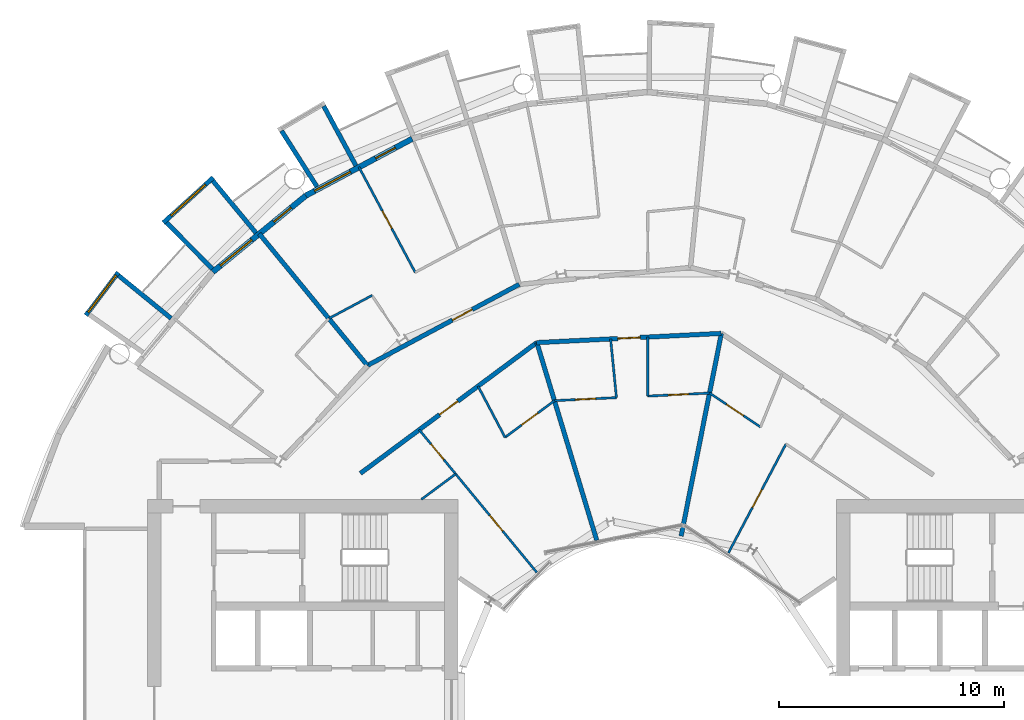
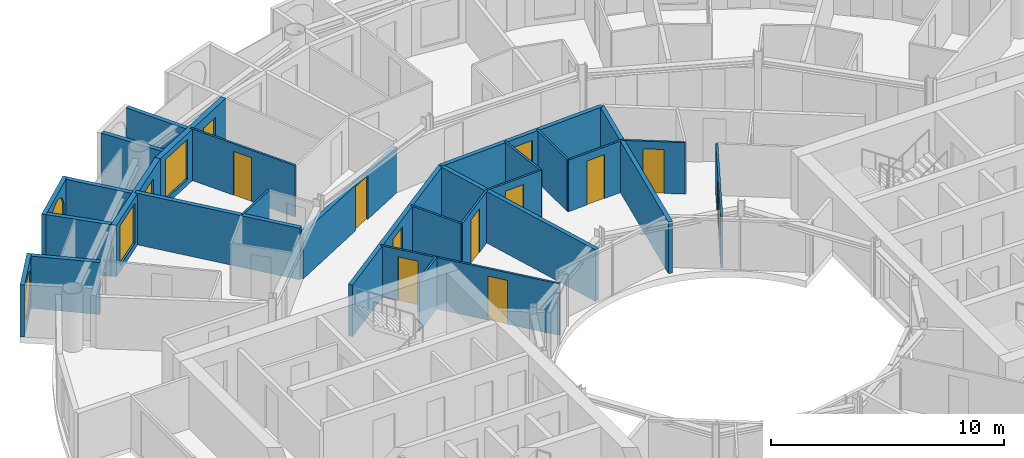
# One storey, part 20 of 26: 27 walls, 13 doors, 4 windows, 17 openings.
"""IFC4 building model written with IfcOpenShell, lengths in metres."""

from ifc_helpers import new_model, si_unit, direction, frame, frame_2d, origin, place, context, subcontext, project, spatial, rectangle, circle, extrude, material, layer, layer_set, type_object, element, fill, save


model = new_model("IFC4")

# Units and contexts
model_context = context("Model", 3, precision=1e-05, world=origin(), true_north=direction((0.0, 1.0)))
body_context = subcontext(model_context, "Body", "Model", "MODEL_VIEW")
ifc_project = project(units=[si_unit("LENGTHUNIT", "METRE"), si_unit("AREAUNIT", "SQUARE_METRE"), si_unit("VOLUMEUNIT", "CUBIC_METRE"), si_unit("PLANEANGLEUNIT", "RADIAN"), si_unit("MASSUNIT", "GRAM", prefix="KILO")], contexts=[model_context])

# Site, building, storey
site_placement = place(None, origin())
site = spatial("IfcSite", under=ifc_project, at=site_placement, CompositionType="ELEMENT")
building_placement = place(site_placement, origin())
building = spatial("IfcBuilding", under=site, at=building_placement, Name="Maasbend Ring Residences", CompositionType="ELEMENT")
storey_placement = place(building_placement, frame((0.0, 0.0, 123.85009765625)))
storey = spatial("IfcBuildingStorey", under=building, at=storey_placement, Name="L35", CompositionType="ELEMENT", Elevation=123.85009765625)

# Wall, opening, door
ifc_material_1 = material(Name="Concrete C30/37", Category="concrete")
ifc_layer_1 = layer(ifc_material_1, 0.199951171875)
ifc_layer_set_1 = layer_set([ifc_layer_1], Name="Concrete C30/37")
wall_type_1 = type_object("IfcWallType", Name="CORRIDOR WALL 200 CONCRETE", PredefinedType="PARTITIONING", material=ifc_layer_set_1)
wall_1_placement = place(storey_placement, frame((-12.7451171875, 10.35791015625, 0.0), z_axis=(0.0, 0.0, 1.0), x_axis=(0.803191461888, 0.595720971219, 0.0)))
wall_1 = element("IfcWall", 1, at=wall_1_placement, inside=storey, type_object=wall_type_1, Name="U-L35-w107", PredefinedType="PARTITIONING", context=body_context, shape_type="SweptSolid", body=[
    extrude(rectangle(XDim=9.760009765625, YDim=0.199951171875, at=frame_2d((4.8798828125, 0.0))), origin(), (0.0, 0.0, 1.0), 2.699951171875),
])
opening_1_placement = place(wall_1_placement, frame((4.3798828125, 0.0, 0.0)))
opening_1 = element("IfcOpeningElement", 2, at=opening_1_placement, cuts=wall_1, Name="Opening D-3528", PredefinedType="OPENING", context=body_context, shape_type="SweptSolid", body=[
    extrude(rectangle(XDim=1.0, YDim=2.300048828125, at=frame_2d((0.5, 1.14990234375))), frame((0.0, 0.10986328125, 0.0), z_axis=(0.0, -1.0, 0.0), x_axis=(1.0, 0.0, 0.0)), (0.0, 0.0, 1.0), 0.219970703125),
])
ifc_material_2 = material(Name="Timber, fire-rated, painted", Category="wood")
door_type_1 = type_object("IfcDoorType", Name="FLAT ENTRANCE DOOR 1000 X 2300 FIRE-RATED", OperationType="NOTDEFINED", PredefinedType="DOOR", material=ifc_material_2)
door_1_placement = place(opening_1_placement, origin())
door_1 = element("IfcDoor", 3, at=door_1_placement, inside=storey, type_object=door_type_1, Name="D-3528", OperationType="SINGLE_SWING_RIGHT", OverallHeight=2.300048828125, OverallWidth=1.0, PredefinedType="DOOR", context=body_context, shape_type="SweptSolid", body=[
    extrude(rectangle(XDim=1.0, YDim=2.300048828125, at=frame_2d((0.5, 1.14990234375))), frame((0.0, 0.02490234375, 0.0), z_axis=(0.0, -1.0, 0.0), x_axis=(1.0, 0.0, 0.0)), (0.0, 0.0, 1.0), 0.050048828125),
])
fill(opening_1, door_1)

wall_2_placement = place(storey_placement, frame((-4.9208984375, 16.1669921875, 0.0), z_axis=(0.0, 0.0, 1.0), x_axis=(0.998754043059, 0.049903521659, 0.0)))
wall_2 = element("IfcWall", 4, at=wall_2_placement, inside=storey, type_object=wall_type_1, Name="U-L35-w108", PredefinedType="PARTITIONING", context=body_context, shape_type="SweptSolid", body=[
    extrude(rectangle(XDim=8.214111328125, YDim=0.199951171875, at=frame_2d((4.10693359375, 0.0))), origin(), (0.0, 0.0, 1.0), 2.699951171875),
])
opening_2_placement = place(wall_2_placement, frame((3.614013671875, 0.0, 0.0)))
opening_2 = element("IfcOpeningElement", 5, at=opening_2_placement, cuts=wall_2, Name="Opening D-3525", PredefinedType="OPENING", context=body_context, shape_type="SweptSolid", body=[
    extrude(rectangle(XDim=1.0, YDim=2.300048828125, at=frame_2d((0.5, 1.14990234375))), frame((0.0, 0.10986328125, 0.0), z_axis=(0.0, -1.0, 0.0), x_axis=(1.0, 0.0, 0.0)), (0.0, 0.0, 1.0), 0.219970703125),
])
door_2_placement = place(opening_2_placement, origin())
door_2 = element("IfcDoor", 6, at=door_2_placement, inside=storey, type_object=door_type_1, Name="D-3525", OperationType="SINGLE_SWING_RIGHT", OverallHeight=2.300048828125, OverallWidth=1.0, PredefinedType="DOOR", context=body_context, shape_type="SweptSolid", body=[
    extrude(rectangle(XDim=1.0, YDim=2.300048828125, at=frame_2d((0.5, 1.14990234375))), frame((0.0, 0.02490234375, 0.0), z_axis=(0.0, -1.0, 0.0), x_axis=(1.0, 0.0, 0.0)), (0.0, 0.0, 1.0), 0.050048828125),
])
fill(opening_2, door_2)

wall_3_placement = place(storey_placement, frame((-12.43408203125, 15.15087890625, 0.0), z_axis=(0.0, 0.0, 1.0), x_axis=(0.8819312112, 0.471378127104, 0.0)))
wall_3 = element("IfcWall", 7, at=wall_3_placement, inside=storey, type_object=wall_type_1, Name="U-L35-w109", PredefinedType="PARTITIONING", context=body_context, shape_type="SweptSolid", body=[
    extrude(rectangle(XDim=7.650390625, YDim=0.199951171875, at=frame_2d((3.8251953125, 0.0))), origin(), (0.0, 0.0, 1.0), 2.389892578125),
])
opening_3_placement = place(wall_3_placement, frame((4.279052734375, 0.0, 0.0)))
opening_3 = element("IfcOpeningElement", 8, at=opening_3_placement, cuts=wall_3, Name="Opening D-3514", PredefinedType="OPENING", context=body_context, shape_type="SweptSolid", body=[
    extrude(rectangle(XDim=1.0, YDim=2.300048828125, at=frame_2d((0.5, 1.14990234375))), frame((0.0, 0.10986328125, 0.0), z_axis=(0.0, -1.0, 0.0), x_axis=(1.0, 0.0, 0.0)), (0.0, 0.0, 1.0), 0.219970703125),
])
door_3_placement = place(opening_3_placement, origin())
door_3 = element("IfcDoor", 9, at=door_3_placement, inside=storey, type_object=door_type_1, Name="D-3514", OperationType="SINGLE_SWING_RIGHT", OverallHeight=2.300048828125, OverallWidth=1.0, PredefinedType="DOOR", context=body_context, shape_type="SweptSolid", body=[
    extrude(rectangle(XDim=1.0, YDim=2.300048828125, at=frame_2d((0.5, 1.14990234375))), frame((0.0, 0.02490234375, 0.0), z_axis=(0.0, -1.0, 0.0), x_axis=(1.0, 0.0, 0.0)), (0.0, 0.0, 1.0), 0.050048828125),
])
fill(opening_3, door_3)

# Walls
ifc_material_3 = material(Name="Pale anodised aluminium panel", Category="aluminium")
ifc_layer_2 = layer(ifc_material_3, 0.199951171875)
ifc_layer_set_2 = layer_set([ifc_layer_2], Name="EW-BOX")
wall_type_2 = type_object("IfcWallType", Name="EW-BOX", PredefinedType="SOLIDWALL", material=ifc_layer_set_2)
wall_4_placement = place(storey_placement, frame((-12.945068359375, 24.029052734375, -0.030029296875), z_axis=(0.0, 0.0, 1.0), x_axis=(-0.474424310775, 0.88029629861, 0.0)))
element("IfcWall", 10, at=wall_4_placement, inside=storey, type_object=wall_type_2, Name="Box side wall N16 left", PredefinedType="SOLIDWALL", context=body_context, shape_type="SweptSolid", body=[
    extrude(rectangle(XDim=3.005859375, YDim=0.199951171875, at=frame_2d((1.5029296875, 0.0))), origin(), (0.0, 0.0, 1.0), 2.72998046875),
])
wall_5_placement = place(storey_placement, frame((-14.677978515625, 23.10205078125, -0.030029296875), z_axis=(0.0, 0.0, 1.0), x_axis=(-0.536001536573, 0.844217005746, 0.0)))
element("IfcWall", 11, at=wall_5_placement, inside=storey, type_object=wall_type_2, Name="Box side wall N16 right", PredefinedType="SOLIDWALL", context=body_context, shape_type="SweptSolid", body=[
    extrude(rectangle(XDim=2.92919921875, YDim=0.199951171875, at=frame_2d((1.464599609375, 0.0))), origin(), (0.0, 0.0, 1.0), 2.72998046875),
])

# Wall, opening, window
wall_6_placement = place(storey_placement, frame((-19.281982421875, 23.5029296875, -0.030029296875), z_axis=(0.0, 0.0, 1.0), x_axis=(-0.740998365753, -0.671506829416, 0.0)))
wall_6 = element("IfcWall", 12, at=wall_6_placement, inside=storey, type_object=wall_type_2, Name="Box front N18", PredefinedType="SOLIDWALL", context=body_context, shape_type="SweptSolid", body=[
    extrude(rectangle(XDim=2.9931640625, YDim=0.199951171875, at=frame_2d((1.49658203125, 0.0))), origin(), (0.0, 0.0, 1.0), 2.72998046875),
])
opening_4_placement = place(wall_6_placement, frame((0.45654296875, 0.0, 0.330078125)))
opening_4 = element("IfcOpeningElement", 13, at=opening_4_placement, cuts=wall_6, Name="Opening W-RD", PredefinedType="OPENING", context=body_context, shape_type="SweptSolid", body=[
    extrude(circle(Radius=1.0400390625, at=frame_2d((1.0400390625, 1.0400390625))), frame((0.0, 0.10986328125, 0.0), z_axis=(0.0, -1.0, 0.0), x_axis=(1.0, 0.0, 0.0)), (0.0, 0.0, 1.0), 0.219970703125),
])
ifc_material_4 = material(Name="Aluminium and clear glass", Category="aluminium")
window_type_1 = type_object("IfcWindowType", Name="W-RD", PartitioningType="SINGLE_PANEL", PredefinedType="WINDOW", material=ifc_material_4)
window_1_placement = place(opening_4_placement, origin())
window_1 = element("IfcWindow", 14, at=window_1_placement, inside=storey, type_object=window_type_1, Name="Round window N18", OverallHeight=2.080078125, OverallWidth=2.080078125, PartitioningType="SINGLE_PANEL", PredefinedType="WINDOW", context=body_context, shape_type="SweptSolid", body=[
    extrude(circle(Radius=1.0400390625, at=frame_2d((1.0400390625, 1.0400390625))), frame((0.0, 0.030029296875, 0.0), z_axis=(0.0, -1.0, 0.0), x_axis=(1.0, 0.0, 0.0)), (0.0, 0.0, 1.0), 0.06005859375),
])
fill(opening_4, window_1)

# Walls
wall_7_placement = place(storey_placement, frame((-17.384033203125, 21.041015625, -0.030029296875), z_axis=(0.0, 0.0, 1.0), x_axis=(-0.63709551667, 0.770784861449, 0.0)))
element("IfcWall", 15, at=wall_7_placement, inside=storey, type_object=wall_type_2, Name="Box side wall N18 left", PredefinedType="SOLIDWALL", context=body_context, shape_type="SweptSolid", body=[
    extrude(rectangle(XDim=3.005859375, YDim=0.199951171875, at=frame_2d((1.5029296875, 0.0))), origin(), (0.0, 0.0, 1.0), 2.72998046875),
])
wall_8_placement = place(storey_placement, frame((-19.322998046875, 19.449951171875, -0.030029296875), z_axis=(0.0, 0.0, 1.0), x_axis=(-0.704476739375, 0.709727076896, 0.0)))
element("IfcWall", 16, at=wall_8_placement, inside=storey, type_object=wall_type_2, Name="Box side wall N18 right", PredefinedType="SOLIDWALL", context=body_context, shape_type="SweptSolid", body=[
    extrude(rectangle(XDim=2.883056640625, YDim=0.199951171875, at=frame_2d((1.44140625, 0.0))), origin(), (0.0, 0.0, 1.0), 2.72998046875),
])

# Wall, opening, window
wall_9_placement = place(storey_placement, frame((-23.4970703125, 19.2890625, -0.030029296875), z_axis=(0.0, 0.0, 1.0), x_axis=(-0.603375996329, -0.797456837111, 0.0)))
wall_9 = element("IfcWall", 17, at=wall_9_placement, inside=storey, type_object=wall_type_2, Name="Box front N20", PredefinedType="SOLIDWALL", context=body_context, shape_type="SweptSolid", body=[
    extrude(rectangle(XDim=2.391357421875, YDim=0.199951171875, at=frame_2d((1.19580078125, 0.0))), origin(), (0.0, 0.0, 1.0), 2.72998046875),
])
opening_5_placement = place(wall_9_placement, frame((0.15576171875, 0.0, 0.330078125)))
opening_5 = element("IfcOpeningElement", 18, at=opening_5_placement, cuts=wall_9, Name="Opening W-RD", PredefinedType="OPENING", context=body_context, shape_type="SweptSolid", body=[
    extrude(circle(Radius=1.0400390625, at=frame_2d((1.0400390625, 1.0400390625))), frame((0.0, 0.10986328125, 0.0), z_axis=(0.0, -1.0, 0.0), x_axis=(1.0, 0.0, 0.0)), (0.0, 0.0, 1.0), 0.219970703125),
])
window_2_placement = place(opening_5_placement, origin())
window_2 = element("IfcWindow", 19, at=window_2_placement, inside=storey, type_object=window_type_1, Name="Round window N20", OverallHeight=2.080078125, OverallWidth=2.080078125, PartitioningType="SINGLE_PANEL", PredefinedType="WINDOW", context=body_context, shape_type="SweptSolid", body=[
    extrude(circle(Radius=1.0400390625, at=frame_2d((1.0400390625, 1.0400390625))), frame((0.0, 0.030029296875, 0.0), z_axis=(0.0, -1.0, 0.0), x_axis=(1.0, 0.0, 0.0)), (0.0, 0.0, 1.0), 0.06005859375),
])
fill(opening_5, window_2)

# Wall
wall_10_placement = place(storey_placement, frame((-21.155029296875, 17.24609375, -0.030029296875), z_axis=(0.0, 0.0, 1.0), x_axis=(-0.775179004516, 0.631741648902, 0.0)))
element("IfcWall", 20, at=wall_10_placement, inside=storey, type_object=wall_type_2, Name="Box side wall N20 left", PredefinedType="SOLIDWALL", context=body_context, shape_type="SweptSolid", body=[
    extrude(rectangle(XDim=3.005859375, YDim=0.199951171875, at=frame_2d((1.5029296875, 0.0))), origin(), (0.0, 0.0, 1.0), 2.72998046875),
])

# Wall, openings, door, window
ifc_material_5 = material(Name="Aluminium clad insulated panel", Category="aluminium")
ifc_layer_3 = layer(ifc_material_5, 0.25)
ifc_layer_set_3 = layer_set([ifc_layer_3], Name="EW-GL")
wall_type_3 = type_object("IfcWallType", Name="EW-GL", PredefinedType="SOLIDWALL", material=ifc_layer_set_3)
wall_11_placement = place(storey_placement, frame((-10.447021484375, 25.221923828125, 0.0), z_axis=(0.0, 0.0, 1.0), x_axis=(-0.881915646801, -0.471407246368, 0.0)))
wall_11 = element("IfcWall", 21, at=wall_11_placement, inside=storey, type_object=wall_type_3, Name="External wall N08", PredefinedType="SOLIDWALL", context=body_context, shape_type="SweptSolid", body=[
    extrude(rectangle(XDim=5.35205078125, YDim=0.25, at=frame_2d((2.676025390625, 0.0))), origin(), (0.0, 0.0, 1.0), 2.699951171875),
])
opening_6_placement = place(wall_11_placement, frame((0.841064453125, 0.0, 0.0)))
opening_6 = element("IfcOpeningElement", 22, at=opening_6_placement, cuts=wall_11, Name="Opening D-LG", PredefinedType="OPENING", context=body_context, shape_type="SweptSolid", body=[
    extrude(rectangle(XDim=1.0, YDim=2.199951171875, at=frame_2d((0.5, 1.10009765625))), frame((0.0, 0.135009765625, 0.0), z_axis=(0.0, -1.0, 0.0), x_axis=(1.0, 0.0, 0.0)), (0.0, 0.0, 1.0), 0.27001953125),
])
opening_7_placement = place(wall_11_placement, frame((3.110595703125, 0.0, 0.300048828125)))
opening_7 = element("IfcOpeningElement", 23, at=opening_7_placement, cuts=wall_11, Name="Opening W-BX", PredefinedType="OPENING", context=body_context, shape_type="SweptSolid", body=[
    extrude(rectangle(XDim=1.800048828125, YDim=2.10009765625, at=frame_2d((0.89990234375, 1.050048828125))), frame((0.0, 0.135009765625, 0.0), z_axis=(0.0, -1.0, 0.0), x_axis=(1.0, 0.0, 0.0)), (0.0, 0.0, 1.0), 0.27001953125),
])
ifc_material_6 = material(Name="Aluminium and clear glass", Category="aluminium")
door_type_2 = type_object("IfcDoorType", Name="D-LG", OperationType="SINGLE_SWING_LEFT", PredefinedType="DOOR", material=ifc_material_6)
door_4_placement = place(opening_6_placement, origin())
door_4 = element("IfcDoor", 24, at=door_4_placement, inside=storey, type_object=door_type_2, Name="Loggia door N15", OperationType="SINGLE_SWING_LEFT", OverallHeight=2.199951171875, OverallWidth=1.0, PredefinedType="DOOR", context=body_context, shape_type="SweptSolid", body=[
    extrude(rectangle(XDim=1.0, YDim=2.199951171875, at=frame_2d((0.5, 1.10009765625))), frame((0.0, 0.02490234375, 0.0), z_axis=(0.0, -1.0, 0.0), x_axis=(1.0, 0.0, 0.0)), (0.0, 0.0, 1.0), 0.050048828125),
])
fill(opening_6, door_4)
ifc_material_7 = material(Name="Aluminium and clear glass", Category="aluminium")
window_type_2 = type_object("IfcWindowType", Name="W-BX", PartitioningType="DOUBLE_PANEL_VERTICAL", PredefinedType="WINDOW", material=ifc_material_7)
window_3_placement = place(opening_7_placement, origin())
window_3 = element("IfcWindow", 25, at=window_3_placement, inside=storey, type_object=window_type_2, Name="Window N16 room to box", OverallHeight=2.10009765625, OverallWidth=1.800048828125, PartitioningType="SINGLE_PANEL", PredefinedType="WINDOW", context=body_context, shape_type="SweptSolid", body=[
    extrude(rectangle(XDim=1.800048828125, YDim=2.10009765625, at=frame_2d((0.89990234375, 1.050048828125))), frame((0.0, 0.030029296875, 0.0), z_axis=(0.0, -1.0, 0.0), x_axis=(1.0, 0.0, 0.0)), (0.0, 0.0, 1.0), 0.06005859375),
])
fill(opening_7, window_3)

wall_12_placement = place(storey_placement, frame((-15.1669921875, 22.698974609375, 0.0), z_axis=(0.0, 0.0, 1.0), x_axis=(-0.773019449054, -0.634382322723, 0.0)))
wall_12 = element("IfcWall", 26, at=wall_12_placement, inside=storey, type_object=wall_type_3, Name="External wall N09", PredefinedType="SOLIDWALL", context=body_context, shape_type="SweptSolid", body=[
    extrude(rectangle(XDim=5.351806640625, YDim=0.25, at=frame_2d((2.67578125, 0.0))), origin(), (0.0, 0.0, 1.0), 2.699951171875),
])
opening_8_placement = place(wall_12_placement, frame((0.841064453125, 0.0, 0.0)))
opening_8 = element("IfcOpeningElement", 27, at=opening_8_placement, cuts=wall_12, Name="Opening D-LG", PredefinedType="OPENING", context=body_context, shape_type="SweptSolid", body=[
    extrude(rectangle(XDim=1.0, YDim=2.199951171875, at=frame_2d((0.5, 1.10009765625))), frame((0.0, 0.135009765625, 0.0), z_axis=(0.0, -1.0, 0.0), x_axis=(1.0, 0.0, 0.0)), (0.0, 0.0, 1.0), 0.27001953125),
])
opening_9_placement = place(wall_12_placement, frame((3.110595703125, 0.0, 0.300048828125)))
opening_9 = element("IfcOpeningElement", 28, at=opening_9_placement, cuts=wall_12, Name="Opening W-BX", PredefinedType="OPENING", context=body_context, shape_type="SweptSolid", body=[
    extrude(rectangle(XDim=1.800048828125, YDim=2.10009765625, at=frame_2d((0.89990234375, 1.050048828125))), frame((0.0, 0.135009765625, 0.0), z_axis=(0.0, -1.0, 0.0), x_axis=(1.0, 0.0, 0.0)), (0.0, 0.0, 1.0), 0.27001953125),
])
door_5_placement = place(opening_8_placement, origin())
door_5 = element("IfcDoor", 29, at=door_5_placement, inside=storey, type_object=door_type_2, Name="Loggia door N17", OperationType="SINGLE_SWING_LEFT", OverallHeight=2.199951171875, OverallWidth=1.0, PredefinedType="DOOR", context=body_context, shape_type="SweptSolid", body=[
    extrude(rectangle(XDim=1.0, YDim=2.199951171875, at=frame_2d((0.5, 1.10009765625))), frame((0.0, 0.02490234375, 0.0), z_axis=(0.0, -1.0, 0.0), x_axis=(1.0, 0.0, 0.0)), (0.0, 0.0, 1.0), 0.050048828125),
])
fill(opening_8, door_5)
window_4_placement = place(opening_9_placement, origin())
window_4 = element("IfcWindow", 30, at=window_4_placement, inside=storey, type_object=window_type_2, Name="Window N18 room to box", OverallHeight=2.10009765625, OverallWidth=1.800048828125, PartitioningType="SINGLE_PANEL", PredefinedType="WINDOW", context=body_context, shape_type="SweptSolid", body=[
    extrude(rectangle(XDim=1.800048828125, YDim=2.10009765625, at=frame_2d((0.89990234375, 1.050048828125))), frame((0.0, 0.030029296875, 0.0), z_axis=(0.0, -1.0, 0.0), x_axis=(1.0, 0.0, 0.0)), (0.0, 0.0, 1.0), 0.06005859375),
])
fill(opening_9, window_4)

# Wall, opening, door
ifc_material_8 = material(Name="Gypsum board on steel studs", Category="steel")
ifc_layer_4 = layer(ifc_material_8, 0.10009765625)
ifc_layer_set_4 = layer_set([ifc_layer_4], Name="PARTITION 100 GYPSUM")
wall_type_4 = type_object("IfcWallType", Name="PARTITION 100 GYPSUM", PredefinedType="PARTITIONING", material=ifc_layer_set_4)
wall_13_placement = place(storey_placement, frame((-12.81005859375, 23.966064453125, 0.0), z_axis=(0.0, 0.0, 1.0), x_axis=(0.47140999111, -0.881914179658, 0.0)))
wall_13 = element("IfcWall", 31, at=wall_13_placement, inside=storey, type_object=wall_type_4, Name="U-L35-w047", PredefinedType="PARTITIONING", context=body_context, shape_type="SweptSolid", body=[
    extrude(rectangle(XDim=5.30322265625, YDim=0.10009765625, at=frame_2d((2.651611328125, 0.0))), origin(), (0.0, 0.0, 1.0), 2.699951171875),
])
opening_10_placement = place(wall_13_placement, frame((2.201904296875, 0.0, 0.0)))
opening_10 = element("IfcOpeningElement", 32, at=opening_10_placement, cuts=wall_13, Name="Opening D-3516", PredefinedType="OPENING", context=body_context, shape_type="SweptSolid", body=[
    extrude(rectangle(XDim=0.89990234375, YDim=2.300048828125, at=frame_2d((0.449951171875, 1.14990234375))), frame((0.0, 0.06005859375, 0.0), z_axis=(0.0, -1.0, 0.0), x_axis=(1.0, 0.0, 0.0)), (0.0, 0.0, 1.0), 0.1201171875),
])
ifc_material_9 = material(Name="Timber, painted", Category="wood")
door_type_3 = type_object("IfcDoorType", Name="INTERNAL DOOR 900 X 2300", OperationType="NOTDEFINED", PredefinedType="DOOR", material=ifc_material_9)
door_6_placement = place(opening_10_placement, origin())
door_6 = element("IfcDoor", 33, at=door_6_placement, inside=storey, type_object=door_type_3, Name="D-3516", OperationType="SINGLE_SWING_RIGHT", OverallHeight=2.300048828125, OverallWidth=0.89990234375, PredefinedType="DOOR", context=body_context, shape_type="SweptSolid", body=[
    extrude(rectangle(XDim=0.89990234375, YDim=2.300048828125, at=frame_2d((0.449951171875, 1.14990234375))), frame((0.0, 0.02490234375, 0.0), z_axis=(0.0, -1.0, 0.0), x_axis=(1.0, 0.0, 0.0)), (0.0, 0.0, 1.0), 0.050048828125),
])
fill(opening_10, door_6)

# Wall, openings, doors
wall_14_placement = place(storey_placement, frame((-10.132080078125, 12.2958984375, 0.0), z_axis=(0.0, 0.0, 1.0), x_axis=(0.635976043025, -0.771708800454, 0.0)))
wall_14 = element("IfcWall", 34, at=wall_14_placement, inside=storey, type_object=wall_type_4, Name="U-L35-w052", PredefinedType="PARTITIONING", context=body_context, shape_type="SweptSolid", body=[
    extrude(rectangle(XDim=8.212890625, YDim=0.10009765625, at=frame_2d((4.1064453125, 0.0))), origin(), (0.0, 0.0, 1.0), 2.699951171875),
])
opening_11_placement = place(wall_14_placement, frame((0.822998046875, 0.0, 0.0)))
opening_11 = element("IfcOpeningElement", 35, at=opening_11_placement, cuts=wall_14, Name="Opening D-3530", PredefinedType="OPENING", context=body_context, shape_type="SweptSolid", body=[
    extrude(rectangle(XDim=0.89990234375, YDim=2.300048828125, at=frame_2d((0.449951171875, 1.14990234375))), frame((0.0, 0.06005859375, 0.0), z_axis=(0.0, -1.0, 0.0), x_axis=(1.0, 0.0, 0.0)), (0.0, 0.0, 1.0), 0.1201171875),
])
opening_12_placement = place(wall_14_placement, frame((4.928955078125, 0.0, 0.0)))
opening_12 = element("IfcOpeningElement", 36, at=opening_12_placement, cuts=wall_14, Name="Opening D-3531", PredefinedType="OPENING", context=body_context, shape_type="SweptSolid", body=[
    extrude(rectangle(XDim=0.89990234375, YDim=2.300048828125, at=frame_2d((0.449951171875, 1.14990234375))), frame((0.0, 0.06005859375, 0.0), z_axis=(0.0, -1.0, 0.0), x_axis=(1.0, 0.0, 0.0)), (0.0, 0.0, 1.0), 0.1201171875),
])
door_7_placement = place(opening_11_placement, origin())
door_7 = element("IfcDoor", 37, at=door_7_placement, inside=storey, type_object=door_type_3, Name="D-3530", OperationType="SINGLE_SWING_LEFT", OverallHeight=2.300048828125, OverallWidth=0.89990234375, PredefinedType="DOOR", context=body_context, shape_type="SweptSolid", body=[
    extrude(rectangle(XDim=0.89990234375, YDim=2.300048828125, at=frame_2d((0.449951171875, 1.14990234375))), frame((0.0, 0.02490234375, 0.0), z_axis=(0.0, -1.0, 0.0), x_axis=(1.0, 0.0, 0.0)), (0.0, 0.0, 1.0), 0.050048828125),
])
fill(opening_11, door_7)
door_8_placement = place(opening_12_placement, origin())
door_8 = element("IfcDoor", 38, at=door_8_placement, inside=storey, type_object=door_type_3, Name="D-3531", OperationType="SINGLE_SWING_RIGHT", OverallHeight=2.300048828125, OverallWidth=0.89990234375, PredefinedType="DOOR", context=body_context, shape_type="SweptSolid", body=[
    extrude(rectangle(XDim=0.89990234375, YDim=2.300048828125, at=frame_2d((0.449951171875, 1.14990234375))), frame((0.0, 0.02490234375, 0.0), z_axis=(0.0, -1.0, 0.0), x_axis=(1.0, 0.0, 0.0)), (0.0, 0.0, 1.0), 0.050048828125),
])
fill(opening_12, door_8)

# Walls
wall_15_placement = place(storey_placement, frame((-7.51904296875, 14.23388671875, 0.0), z_axis=(0.0, 0.0, 1.0), x_axis=(0.467001992543, -0.884256263173, 0.0)))
element("IfcWall", 39, at=wall_15_placement, inside=storey, type_object=wall_type_4, Name="U-L35-w055", PredefinedType="PARTITIONING", context=body_context, shape_type="SweptSolid", body=[
    extrude(rectangle(XDim=2.571533203125, YDim=0.10009765625, at=frame_2d((1.28564453125, 0.0))), origin(), (0.0, 0.0, 1.0), 2.699951171875),
])
for number, where, z_axis, x_axis, name in (
    (40, (-1.6298828125, 16.33203125, 0.0), (0.0, 0.0, 1.0), (0.099070419396, -0.995080424891, 0.0), "U-L35-w063"),
    (41, (0.01904296875, 13.7919921875, 0.0), (0.0, 0.0, 1.0), (0.001117317738, 0.9999993758, 0.0), "U-L35-w067"),
):
    element("IfcWall", number, at=place(storey_placement, frame(where, z_axis=z_axis, x_axis=x_axis)), inside=storey, type_object=wall_type_4, Name=name, PredefinedType="PARTITIONING", context=body_context, shape_type="SweptSolid", body=[
        extrude(rectangle(XDim=2.6220703125, YDim=0.10009765625, at=frame_2d((1.31103515625, 0.0))), origin(), (0.0, 0.0, 1.0), 2.699951171875),
    ])

# Wall, opening, door
wall_16_placement = place(storey_placement, frame((3.60595703125, 6.826904296875, 0.0), z_axis=(0.0, 0.0, 1.0), x_axis=(0.466976820365, 0.884269556889, 0.0)))
wall_16 = element("IfcWall", 42, at=wall_16_placement, inside=storey, type_object=wall_type_4, Name="U-L35-w073", PredefinedType="PARTITIONING", context=body_context, shape_type="SweptSolid", body=[
    extrude(rectangle(XDim=5.46923828125, YDim=0.10009765625, at=frame_2d((2.734619140625, 0.0))), origin(), (0.0, 0.0, 1.0), 2.699951171875),
])
opening_13_placement = place(wall_16_placement, frame((2.283935546875, 0.0, 0.0)))
opening_13 = element("IfcOpeningElement", 43, at=opening_13_placement, cuts=wall_16, Name="Opening D-3524", PredefinedType="OPENING", context=body_context, shape_type="SweptSolid", body=[
    extrude(rectangle(XDim=0.89990234375, YDim=2.300048828125, at=frame_2d((0.449951171875, 1.14990234375))), frame((0.0, 0.06005859375, 0.0), z_axis=(0.0, -1.0, 0.0), x_axis=(1.0, 0.0, 0.0)), (0.0, 0.0, 1.0), 0.1201171875),
])
door_9_placement = place(opening_13_placement, origin())
door_9 = element("IfcDoor", 44, at=door_9_placement, inside=storey, type_object=door_type_3, Name="D-3524", OperationType="SINGLE_SWING_LEFT", OverallHeight=2.300048828125, OverallWidth=0.89990234375, PredefinedType="DOOR", context=body_context, shape_type="SweptSolid", body=[
    extrude(rectangle(XDim=0.89990234375, YDim=2.300048828125, at=frame_2d((0.449951171875, 1.14990234375))), frame((0.0, 0.02490234375, 0.0), z_axis=(0.0, -1.0, 0.0), x_axis=(1.0, 0.0, 0.0)), (0.0, 0.0, 1.0), 0.050048828125),
])
fill(opening_13, door_9)

wall_17_placement = place(storey_placement, frame((2.77099609375, 13.926025390625, 0.0), z_axis=(0.0, 0.0, 1.0), x_axis=(0.831538390496, -0.555467285384, 0.0)))
wall_17 = element("IfcWall", 45, at=wall_17_placement, inside=storey, type_object=wall_type_4, Name="U-L35-w100", PredefinedType="PARTITIONING", context=body_context, shape_type="SweptSolid", body=[
    extrude(rectangle(XDim=2.716796875, YDim=0.10009765625, at=frame_2d((1.3583984375, 0.0))), origin(), (0.0, 0.0, 1.0), 2.699951171875),
])
opening_14_placement = place(wall_17_placement, frame((0.906982421875, 0.0, 0.0)))
opening_14 = element("IfcOpeningElement", 46, at=opening_14_placement, cuts=wall_17, Name="Opening D-3522", PredefinedType="OPENING", context=body_context, shape_type="SweptSolid", body=[
    extrude(rectangle(XDim=0.89990234375, YDim=2.300048828125, at=frame_2d((0.449951171875, 1.14990234375))), frame((0.0, 0.06005859375, 0.0), z_axis=(0.0, -1.0, 0.0), x_axis=(1.0, 0.0, 0.0)), (0.0, 0.0, 1.0), 0.1201171875),
])
door_10_placement = place(opening_14_placement, origin())
door_10 = element("IfcDoor", 47, at=door_10_placement, inside=storey, type_object=door_type_3, Name="D-3522", OperationType="SINGLE_SWING_LEFT", OverallHeight=2.300048828125, OverallWidth=0.89990234375, PredefinedType="DOOR", context=body_context, shape_type="SweptSolid", body=[
    extrude(rectangle(XDim=0.89990234375, YDim=2.300048828125, at=frame_2d((0.449951171875, 1.14990234375))), frame((0.0, 0.02490234375, 0.0), z_axis=(0.0, -1.0, 0.0), x_axis=(1.0, 0.0, 0.0)), (0.0, 0.0, 1.0), 0.050048828125),
])
fill(opening_14, door_10)

# Wall
wall_18_placement = place(storey_placement, frame((-10.0390625, 9.199951171875, 0.0), z_axis=(0.0, 0.0, 1.0), x_axis=(0.803149591038, 0.595777420196, 0.0)))
element("IfcWall", 48, at=wall_18_placement, inside=storey, type_object=wall_type_4, Name="U-L35-w102", PredefinedType="PARTITIONING", context=body_context, shape_type="SweptSolid", body=[
    extrude(rectangle(XDim=1.900146484375, YDim=0.10009765625, at=frame_2d((0.9501953125, 0.0))), origin(), (0.0, 0.0, 1.0), 2.699951171875),
])

# Wall, opening, door
wall_19_placement = place(storey_placement, frame((-6.318115234375, 11.9599609375, 0.0), z_axis=(0.0, 0.0, 1.0), x_axis=(0.803128348509, 0.595806055542, 0.0)))
wall_19 = element("IfcWall", 49, at=wall_19_placement, inside=storey, type_object=wall_type_4, Name="U-L35-w103", PredefinedType="PARTITIONING", context=body_context, shape_type="SweptSolid", body=[
    extrude(rectangle(XDim=2.734375, YDim=0.10009765625, at=frame_2d((1.3671875, 0.0))), origin(), (0.0, 0.0, 1.0), 2.699951171875),
])
opening_15_placement = place(wall_19_placement, frame((0.9169921875, 0.0, 0.0)))
opening_15 = element("IfcOpeningElement", 50, at=opening_15_placement, cuts=wall_19, Name="Opening D-3529", PredefinedType="OPENING", context=body_context, shape_type="SweptSolid", body=[
    extrude(rectangle(XDim=0.89990234375, YDim=2.300048828125, at=frame_2d((0.449951171875, 1.14990234375))), frame((0.0, 0.06005859375, 0.0), z_axis=(0.0, -1.0, 0.0), x_axis=(1.0, 0.0, 0.0)), (0.0, 0.0, 1.0), 0.1201171875),
])
door_11_placement = place(opening_15_placement, origin())
door_11 = element("IfcDoor", 51, at=door_11_placement, inside=storey, type_object=door_type_3, Name="D-3529", OperationType="SINGLE_SWING_RIGHT", OverallHeight=2.300048828125, OverallWidth=0.89990234375, PredefinedType="DOOR", context=body_context, shape_type="SweptSolid", body=[
    extrude(rectangle(XDim=0.89990234375, YDim=2.300048828125, at=frame_2d((0.449951171875, 1.14990234375))), frame((0.0, 0.02490234375, 0.0), z_axis=(0.0, -1.0, 0.0), x_axis=(1.0, 0.0, 0.0)), (0.0, 0.0, 1.0), 0.050048828125),
])
fill(opening_15, door_11)

wall_20_placement = place(storey_placement, frame((-4.1220703125, 13.589111328125, 0.0), z_axis=(0.0, 0.0, 1.0), x_axis=(0.99880320044, 0.048909782152, 0.0)))
wall_20 = element("IfcWall", 52, at=wall_20_placement, inside=storey, type_object=wall_type_4, Name="U-L35-w104", PredefinedType="PARTITIONING", context=body_context, shape_type="SweptSolid", body=[
    extrude(rectangle(XDim=2.760498046875, YDim=0.10009765625, at=frame_2d((1.38037109375, 0.0))), origin(), (0.0, 0.0, 1.0), 2.699951171875),
])
opening_16_placement = place(wall_20_placement, frame((0.929931640625, 0.0, 0.0)))
opening_16 = element("IfcOpeningElement", 53, at=opening_16_placement, cuts=wall_20, Name="Opening D-3527", PredefinedType="OPENING", context=body_context, shape_type="SweptSolid", body=[
    extrude(rectangle(XDim=0.89990234375, YDim=2.300048828125, at=frame_2d((0.449951171875, 1.14990234375))), frame((0.0, 0.06005859375, 0.0), z_axis=(0.0, -1.0, 0.0), x_axis=(1.0, 0.0, 0.0)), (0.0, 0.0, 1.0), 0.1201171875),
])
door_12_placement = place(opening_16_placement, origin())
door_12 = element("IfcDoor", 54, at=door_12_placement, inside=storey, type_object=door_type_3, Name="D-3527", OperationType="SINGLE_SWING_LEFT", OverallHeight=2.300048828125, OverallWidth=0.89990234375, PredefinedType="DOOR", context=body_context, shape_type="SweptSolid", body=[
    extrude(rectangle(XDim=0.89990234375, YDim=2.300048828125, at=frame_2d((0.449951171875, 1.14990234375))), frame((0.0, 0.02490234375, 0.0), z_axis=(0.0, -1.0, 0.0), x_axis=(1.0, 0.0, 0.0)), (0.0, 0.0, 1.0), 0.050048828125),
])
fill(opening_16, door_12)

wall_21_placement = place(storey_placement, frame((0.012939453125, 13.791015625, 0.0), z_axis=(0.0, 0.0, 1.0), x_axis=(0.99880320044, 0.048909782152, 0.0)))
wall_21 = element("IfcWall", 55, at=wall_21_placement, inside=storey, type_object=wall_type_4, Name="U-L35-w105", PredefinedType="PARTITIONING", context=body_context, shape_type="SweptSolid", body=[
    extrude(rectangle(XDim=2.760498046875, YDim=0.10009765625, at=frame_2d((1.38037109375, 0.0))), origin(), (0.0, 0.0, 1.0), 2.699951171875),
])
opening_17_placement = place(wall_21_placement, frame((0.929931640625, 0.0, 0.0)))
opening_17 = element("IfcOpeningElement", 56, at=opening_17_placement, cuts=wall_21, Name="Opening D-3526", PredefinedType="OPENING", context=body_context, shape_type="SweptSolid", body=[
    extrude(rectangle(XDim=0.89990234375, YDim=2.300048828125, at=frame_2d((0.449951171875, 1.14990234375))), frame((0.0, 0.06005859375, 0.0), z_axis=(0.0, -1.0, 0.0), x_axis=(1.0, 0.0, 0.0)), (0.0, 0.0, 1.0), 0.1201171875),
])
door_13_placement = place(opening_17_placement, origin())
door_13 = element("IfcDoor", 57, at=door_13_placement, inside=storey, type_object=door_type_3, Name="D-3526", OperationType="SINGLE_SWING_RIGHT", OverallHeight=2.300048828125, OverallWidth=0.89990234375, PredefinedType="DOOR", context=body_context, shape_type="SweptSolid", body=[
    extrude(rectangle(XDim=0.89990234375, YDim=2.300048828125, at=frame_2d((0.449951171875, 1.14990234375))), frame((0.0, 0.02490234375, 0.0), z_axis=(0.0, -1.0, 0.0), x_axis=(1.0, 0.0, 0.0)), (0.0, 0.0, 1.0), 0.050048828125),
])
fill(opening_17, door_13)

# Walls
wall_22_placement = place(storey_placement, frame((-14.14111328125, 17.240966796875, 0.0), z_axis=(0.0, 0.0, 1.0), x_axis=(0.881765102974, 0.47168877788, 0.0)))
element("IfcWall", 58, at=wall_22_placement, inside=storey, type_object=wall_type_4, Name="U-L35-w119", PredefinedType="PARTITIONING", context=body_context, shape_type="SweptSolid", body=[
    extrude(rectangle(XDim=2.175537109375, YDim=0.10009765625, at=frame_2d((1.087890625, 0.0))), origin(), (0.0, 0.0, 1.0), 2.699951171875),
])
ifc_material_10 = material(Name="Concrete C30/37", Category="concrete")
ifc_layer_5 = layer(ifc_material_10, 0.199951171875)
ifc_layer_set_5 = layer_set([ifc_layer_5], Name="Concrete C30/37")
wall_type_5 = type_object("IfcWallType", Name="PARTY WALL 200 CONCRETE", PredefinedType="PARTITIONING", material=ifc_layer_set_5)
wall_23_placement = place(storey_placement, frame((-4.906982421875, 16.172119140625, 0.0), z_axis=(0.0, 0.0, 1.0), x_axis=(0.289977130626, -0.957033575019, 0.0)))
element("IfcWall", 59, at=wall_23_placement, inside=storey, type_object=wall_type_5, Name="U-L35-w037", PredefinedType="PARTITIONING", context=body_context, shape_type="SweptSolid", body=[
    extrude(rectangle(XDim=9.1796875, YDim=0.199951171875, at=frame_2d((4.58984375, 0.0))), origin(), (0.0, 0.0, 1.0), 2.699951171875),
])
wall_24_placement = place(storey_placement, frame((-17.239990234375, 21.007080078125, 0.0), z_axis=(0.0, 0.0, 1.0), x_axis=(0.634381303318, -0.773020285633, 0.0)))
element("IfcWall", 60, at=wall_24_placement, inside=storey, type_object=wall_type_5, Name="U-L35-w042", PredefinedType="PARTITIONING", context=body_context, shape_type="SweptSolid", body=[
    extrude(rectangle(XDim=7.57568359375, YDim=0.199951171875, at=frame_2d((3.787841796875, 0.0))), origin(), (0.0, 0.0, 1.0), 2.699951171875),
])
wall_25_placement = place(storey_placement, frame((1.5029296875, 7.572998046875, 0.0), z_axis=(0.0, 0.0, 1.0), x_axis=(0.194908854522, 0.980821359081, 0.0)))
element("IfcWall", 61, at=wall_25_placement, inside=storey, type_object=wall_type_5, Name="U-L35-w069", PredefinedType="PARTITIONING", context=body_context, shape_type="SweptSolid", body=[
    extrude(rectangle(XDim=9.178955078125, YDim=0.199951171875, at=frame_2d((4.58935546875, 0.0))), origin(), (0.0, 0.0, 1.0), 2.699951171875),
])

save(model, "model.ifc")
